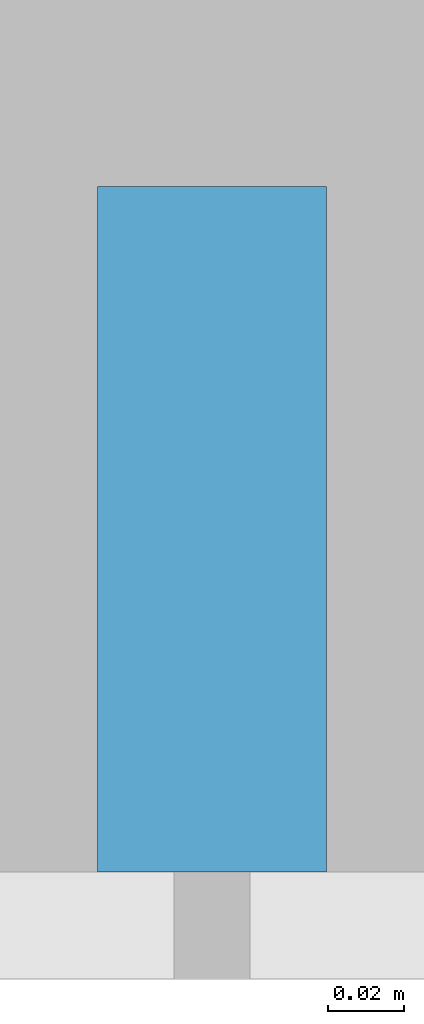
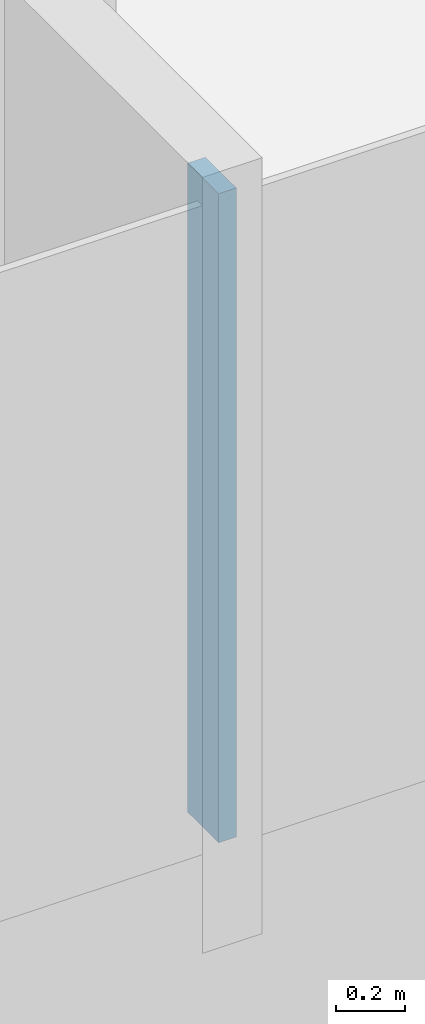
# One storey, part 5 of 26: 1 member, 1 element without a shape of its own.
"""IFC4 building model written with IfcOpenShell, lengths in metres."""

from ifc_helpers import new_model, si_unit, direction, frame, origin, origin_2d, place, context, subcontext, project, spatial, rectangle, extrude, material, layer, layer_set, material_profile, profile_set, type_object, element, aggregate, save


model = new_model("IFC4")

# Units and contexts
model_context = context("Model", 3, precision=1e-05, world=origin(), true_north=direction((0.0, 1.0)))
body_context = subcontext(model_context, "Body", "Model", "MODEL_VIEW")
ifc_project = project(units=[si_unit("LENGTHUNIT", "METRE"), si_unit("AREAUNIT", "SQUARE_METRE"), si_unit("VOLUMEUNIT", "CUBIC_METRE"), si_unit("PLANEANGLEUNIT", "RADIAN"), si_unit("MASSUNIT", "GRAM", prefix="KILO")], contexts=[model_context])

# Site, building, storey
site_placement = place(None, origin())
site = spatial("IfcSite", under=ifc_project, at=site_placement, CompositionType="ELEMENT")
building_placement = place(site_placement, origin())
building = spatial("IfcBuilding", under=site, at=building_placement, Name="Hakoniwa Tower and Hamabe Station Hall", CompositionType="ELEMENT")
storey_placement = place(building_placement, frame((0.0, 0.0, 196.199951171875)))
storey = spatial("IfcBuildingStorey", under=building, at=storey_placement, Name="L55", CompositionType="ELEMENT", Elevation=196.199951171875)

# Curtain wall, member
ifc_material_1 = material(Name="Dark low-e laminated glass", Category="glass")
ifc_layer = layer(ifc_material_1, 0.199951171875)
ifc_layer_set = layer_set([ifc_layer], Name="CW-1 UNITISED GUEST")
curtain_wall_type = type_object("IfcCurtainWallType", Name="CW-1 UNITISED GUEST", PredefinedType="NOTDEFINED", material=ifc_layer_set)
curtain_wall_placement = place(storey_placement, origin())
curtain_wall = element("IfcCurtainWall", 1, at=curtain_wall_placement, inside=storey, type_object=curtain_wall_type, Name="CW-1 curtain wall", PredefinedType="NOTDEFINED")
ifc_material_2 = material(Name="Aluminium 6063-T5 black anodised", Category="aluminium")
ifc_material_profile = material_profile(ifc_material_2, rectangle(XDim=0.06005859375, YDim=0.179931640625, at=origin_2d()), Name="CW-1 MULLION 60X180")
ifc_profile_set = profile_set([ifc_material_profile], Name="Aluminium 6063-T5 black anodised")
member_type = type_object("IfcMemberType", Name="CW-1 MULLION 60X180", PredefinedType="MULLION", material=ifc_profile_set)
member_placement = place(storey_placement, frame((16.800048828125, -15.431884765625, 0.35009765625), z_axis=(0.0, 0.0, 1.0), x_axis=(1.0, 0.0, 0.0)))
member = element("IfcMember", 2, at=member_placement, type_object=member_type, Name="CW-1 mullion", PredefinedType="MULLION", context=body_context, shape_type="SweptSolid", body=[
    extrude(rectangle(XDim=0.06005859375, YDim=0.179931640625, at=origin_2d()), origin(), (0.0, 0.0, 1.0), 2.300048828125),
])
aggregate(curtain_wall, [member])

save(model, "model.ifc")
